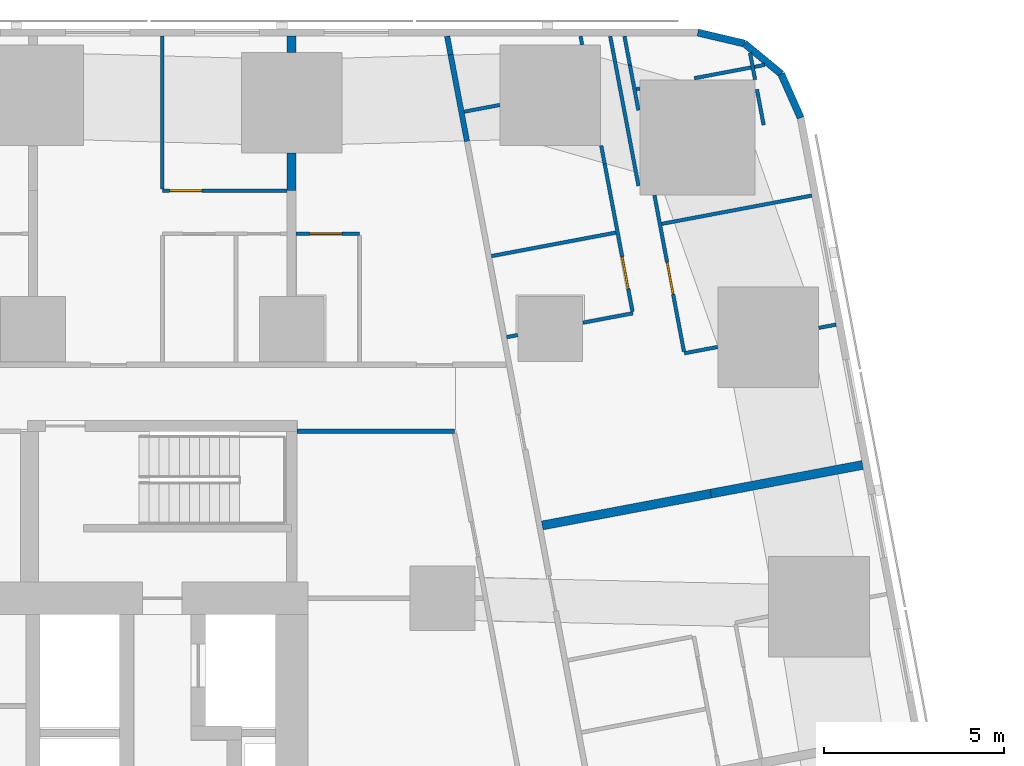
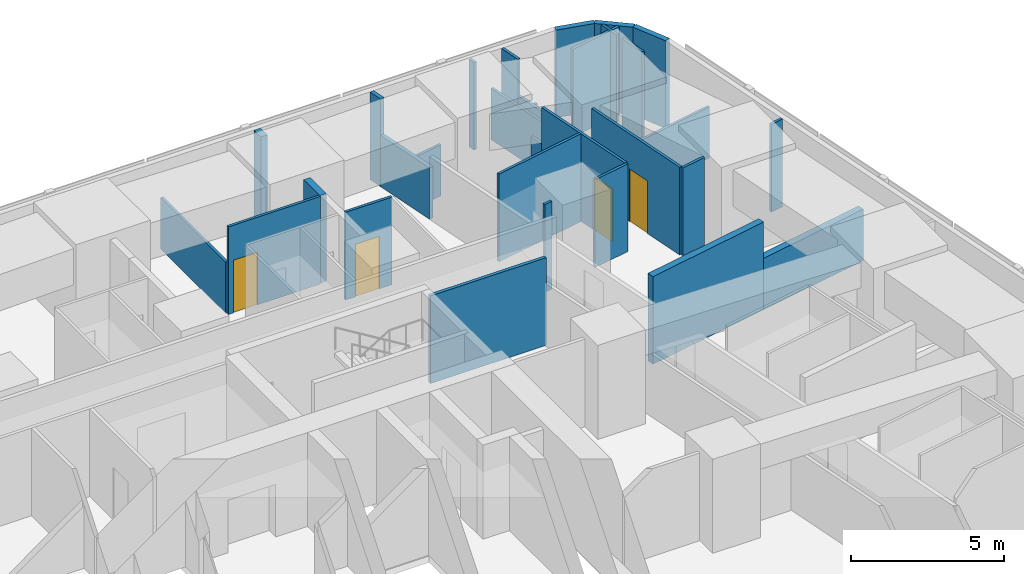
# One storey, part 10 of 15: 31 walls, 4 doors, 4 openings.
"""IFC4 building model written with IfcOpenShell, lengths in metres."""

from ifc_helpers import new_model, si_unit, direction, frame, frame_2d, origin, place, context, subcontext, project, spatial, rectangle, extrude, material, layer, layer_set, type_object, element, fill, save


model = new_model("IFC4")

# Units and contexts
model_context = context("Model", 3, precision=1e-05, world=origin(), true_north=direction((0.0, 1.0)))
body_context = subcontext(model_context, "Body", "Model", "MODEL_VIEW")
ifc_project = project(units=[si_unit("LENGTHUNIT", "METRE"), si_unit("AREAUNIT", "SQUARE_METRE"), si_unit("VOLUMEUNIT", "CUBIC_METRE"), si_unit("PLANEANGLEUNIT", "RADIAN"), si_unit("MASSUNIT", "GRAM", prefix="KILO")], contexts=[model_context])

# Site, building, storey
site_placement = place(None, origin())
site = spatial("IfcSite", under=ifc_project, at=site_placement, CompositionType="ELEMENT")
building_placement = place(site_placement, origin())
building = spatial("IfcBuilding", under=site, at=building_placement, Name="Sheger Commons Tower", CompositionType="ELEMENT")
storey_placement = place(building_placement, frame((0.0, 0.0, 50.0)))
storey = spatial("IfcBuildingStorey", under=building, at=storey_placement, Name="L12", CompositionType="ELEMENT", Elevation=50.0)

# Walls
ifc_material_1 = material(Name="Hollow concrete block masonry, skimmed both sides", Category="masonry")
ifc_layer_1 = layer(ifc_material_1, 0.14990234375)
ifc_layer_set_1 = layer_set([ifc_layer_1], Name="CORRIDOR WALL 150")
wall_type_1 = type_object("IfcWallType", Name="CORRIDOR WALL 150", PredefinedType="SOLIDWALL", material=ifc_layer_set_1)
wall_1_placement = place(storey_placement, frame((33.126953125, 45.64990234375, 0.0), z_axis=(0.0, 0.0, 1.0), x_axis=(0.185441815104, -0.982655246366, 0.0)))
element("IfcWall", 1, at=wall_1_placement, inside=storey, type_object=wall_type_1, Name="Corridor wall L12", PredefinedType="SOLIDWALL", context=body_context, shape_type="SweptSolid", body=[
    extrude(rectangle(XDim=0.52392578125, YDim=0.14990234375, at=frame_2d((0.261962890625, 0.0))), origin(), (0.0, 0.0, 1.0), 3.5),
])
wall_2_placement = place(storey_placement, frame((33.22412109375, 45.135009765625, 0.0), z_axis=(0.0, 0.0, 1.0), x_axis=(0.185681462868, -0.982609990967, 0.0)))
element("IfcWall", 2, at=wall_2_placement, inside=storey, type_object=wall_type_1, Name="Corridor wall L12", PredefinedType="SOLIDWALL", context=body_context, shape_type="SweptSolid", body=[
    extrude(rectangle(XDim=2.454833984375, YDim=0.14990234375, at=frame_2d((1.2275390625, 0.0))), origin(), (0.0, 0.0, 1.0), 2.050048828125),
])
ifc_material_2 = material(Name="Dense concrete block masonry, plastered both sides (separating wall between flats)", Category="masonry")
ifc_layer_2 = layer(ifc_material_2, 0.25)
ifc_layer_set_2 = layer_set([ifc_layer_2], Name="DEMISING WALL 250")
wall_type_2 = type_object("IfcWallType", Name="DEMISING WALL 250", PredefinedType="SOLIDWALL", material=ifc_layer_set_2)
wall_3_placement = place(storey_placement, frame((44.693115234375, 33.712890625, 0.0), z_axis=(0.0, 0.0, 1.0), x_axis=(-0.982633535512, -0.185556823879, 0.0)))
element("IfcWall", 3, at=wall_3_placement, inside=storey, type_object=wall_type_2, Name="Demising wall L12", PredefinedType="SOLIDWALL", context=body_context, shape_type="SweptSolid", body=[
    extrude(rectangle(XDim=4.2998046875, YDim=0.25, at=frame_2d((2.14990234375, 0.0))), origin(), (0.0, 0.0, 1.0), 2.050048828125),
])
wall_4_placement = place(storey_placement, frame((40.468017578125, 32.9150390625, 0.0), z_axis=(0.0, 0.0, 1.0), x_axis=(-0.982635807605, -0.185544791394, 0.0)))
element("IfcWall", 4, at=wall_4_placement, inside=storey, type_object=wall_type_2, Name="Demising wall L12", PredefinedType="SOLIDWALL", context=body_context, shape_type="SweptSolid", body=[
    extrude(rectangle(XDim=4.775146484375, YDim=0.25, at=frame_2d((2.3876953125, 0.0))), origin(), (0.0, 0.0, 1.0), 3.5),
])
wall_5_placement = place(storey_placement, frame((28.800048828125, 41.35009765625, 0.0), z_axis=(0.0, 0.0, 1.0), x_axis=(0.0, 1.0, 0.0)))
element("IfcWall", 5, at=wall_5_placement, inside=storey, type_object=wall_type_2, Name="Demising wall L12", PredefinedType="SOLIDWALL", context=body_context, shape_type="SweptSolid", body=[
    extrude(rectangle(XDim=1.048828125, YDim=0.25, at=frame_2d((0.5244140625, 0.0))), origin(), (0.0, 0.0, 1.0), 3.5),
])
wall_6_placement = place(storey_placement, frame((28.800048828125, 45.200927734375, 0.0), z_axis=(0.0, 0.0, 1.0), x_axis=(0.0, 1.0, 0.0)))
element("IfcWall", 6, at=wall_6_placement, inside=storey, type_object=wall_type_2, Name="Demising wall L12", PredefinedType="SOLIDWALL", context=body_context, shape_type="SweptSolid", body=[
    extrude(rectangle(XDim=0.448974609375, YDim=0.25, at=frame_2d((0.224609375, 0.0))), origin(), (0.0, 0.0, 1.0), 3.5),
])
ifc_material_3 = material(Name="Rendered concrete block masonry, dark grey", Category="masonry")
ifc_layer_3 = layer(ifc_material_3, 0.199951171875)
ifc_layer_set_3 = layer_set([ifc_layer_3], Name="FACADE WALL 200")
wall_type_3 = type_object("IfcWallType", Name="FACADE WALL 200", PredefinedType="SOLIDWALL", material=ifc_layer_set_3)
wall_7_placement = place(storey_placement, frame((42.969970703125, 43.376953125, 0.0), z_axis=(0.0, 0.0, 1.0), x_axis=(-0.406002956633, 0.913871762998, 0.0)))
element("IfcWall", 7, at=wall_7_placement, inside=storey, type_object=wall_type_3, Name="Facade wall L12", PredefinedType="SOLIDWALL", context=body_context, shape_type="SweptSolid", body=[
    extrude(rectangle(XDim=1.33740234375, YDim=0.199951171875, at=frame_2d((0.668701171875, 0.0))), origin(), (0.0, 0.0, 1.0), 3.5),
])
wall_8_placement = place(storey_placement, frame((42.427001953125, 44.59912109375, 0.0), z_axis=(0.0, 0.0, 1.0), x_axis=(-0.770091412544, 0.637933551655, 0.0)))
element("IfcWall", 8, at=wall_8_placement, inside=storey, type_object=wall_type_3, Name="Facade wall L12", PredefinedType="SOLIDWALL", context=body_context, shape_type="SweptSolid", body=[
    extrude(rectangle(XDim=1.324462890625, YDim=0.199951171875, at=frame_2d((0.662109375, 0.0))), origin(), (0.0, 0.0, 1.0), 3.5),
])
wall_9_placement = place(storey_placement, frame((41.406982421875, 45.444091796875, 0.0), z_axis=(0.0, 0.0, 1.0), x_axis=(-0.973453091607, 0.228886606077, 0.0)))
element("IfcWall", 9, at=wall_9_placement, inside=storey, type_object=wall_type_3, Name="Facade wall L12", PredefinedType="SOLIDWALL", context=body_context, shape_type="SweptSolid", body=[
    extrude(rectangle(XDim=1.33642578125, YDim=0.199951171875, at=frame_2d((0.668212890625, 0.0))), origin(), (0.0, 0.0, 1.0), 3.5),
])
ifc_material_4 = material(Name="Gypsum board on steel studs", Category="steel")
ifc_layer_4 = layer(ifc_material_4, 0.10009765625)
ifc_layer_set_4 = layer_set([ifc_layer_4], Name="PARTITION 100")
wall_type_4 = type_object("IfcWallType", Name="PARTITION 100", PredefinedType="PARTITIONING", material=ifc_layer_set_4)
wall_10_placement = place(storey_placement, frame((38.4541015625, 41.48291015625, 0.0), z_axis=(0.0, 0.0, 1.0), x_axis=(-0.185609245326, 0.982623634994, 0.0)))
element("IfcWall", 10, at=wall_10_placement, inside=storey, type_object=wall_type_4, Name="Partition L12", PredefinedType="PARTITIONING", context=body_context, shape_type="SweptSolid", body=[
    extrude(rectangle(XDim=4.24072265625, YDim=0.10009765625, at=frame_2d((2.120361328125, 0.0))), origin(), (0.0, 0.0, 1.0), 2.050048828125),
])
wall_11_placement = place(storey_placement, frame((41.55908203125, 45.18798828125, 0.0), z_axis=(0.0, 0.0, 1.0), x_axis=(0.185063078849, -0.98272664401, 0.0)))
element("IfcWall", 11, at=wall_11_placement, inside=storey, type_object=wall_type_4, Name="Partition L12", PredefinedType="PARTITIONING", context=body_context, shape_type="SweptSolid", body=[
    extrude(rectangle(XDim=0.76123046875, YDim=0.10009765625, at=frame_2d((0.380615234375, 0.0))), origin(), (0.0, 0.0, 1.0), 3.5),
])
wall_12_placement = place(storey_placement, frame((41.7509765625, 44.169921875, 0.0), z_axis=(0.0, 0.0, 1.0), x_axis=(0.186024046654, -0.98254519187, 0.0)))
element("IfcWall", 12, at=wall_12_placement, inside=storey, type_object=wall_type_4, Name="Partition L12", PredefinedType="PARTITIONING", context=body_context, shape_type="SweptSolid", body=[
    extrude(rectangle(XDim=1.010498046875, YDim=0.10009765625, at=frame_2d((0.50537109375, 0.0))), origin(), (0.0, 0.0, 1.0), 3.5),
])
wall_13_placement = place(storey_placement, frame((38.06298828125, 45.64990234375, 0.0), z_axis=(0.0, 0.0, 1.0), x_axis=(0.186109918919, -0.982528929895, 0.0)))
element("IfcWall", 13, at=wall_13_placement, inside=storey, type_object=wall_type_4, Name="Partition L12", PredefinedType="PARTITIONING", context=body_context, shape_type="SweptSolid", body=[
    extrude(rectangle(XDim=0.817138671875, YDim=0.10009765625, at=frame_2d((0.40869140625, 0.0))), origin(), (0.0, 0.0, 1.0), 3.5),
])
wall_14_placement = place(storey_placement, frame((38.215087890625, 44.846923828125, 0.0), z_axis=(0.0, 0.0, 1.0), x_axis=(0.185310800156, -0.982679961811, 0.0)))
element("IfcWall", 14, at=wall_14_placement, inside=storey, type_object=wall_type_4, Name="Partition L12", PredefinedType="PARTITIONING", context=body_context, shape_type="SweptSolid", body=[
    extrude(rectangle(XDim=1.283203125, YDim=0.10009765625, at=frame_2d((0.6416015625, 0.0))), origin(), (0.0, 0.0, 1.0), 2.050048828125),
])

# Wall, opening, door
wall_15_placement = place(storey_placement, frame((38.89892578125, 41.219970703125, 0.0), z_axis=(0.0, 0.0, 1.0), x_axis=(0.185517409072, -0.982640977637, 0.0)))
wall_15 = element("IfcWall", 15, at=wall_15_placement, inside=storey, type_object=wall_type_4, Name="Partition L12", PredefinedType="PARTITIONING", context=body_context, shape_type="SweptSolid", body=[
    extrude(rectangle(XDim=4.42578125, YDim=0.10009765625, at=frame_2d((2.212890625, 0.0))), origin(), (0.0, 0.0, 1.0), 3.5),
])
opening_1_placement = place(wall_15_placement, frame((1.89990234375, 0.0, 0.0)))
opening_1 = element("IfcOpeningElement", 16, at=opening_1_placement, cuts=wall_15, Name="Opening D2", PredefinedType="OPENING", context=body_context, shape_type="SweptSolid", body=[
    extrude(rectangle(XDim=0.89990234375, YDim=2.10009765625, at=frame_2d((0.449951171875, 1.050048828125))), frame((0.0, 0.06005859375, 0.0), z_axis=(0.0, -1.0, 0.0), x_axis=(1.0, 0.0, 0.0)), (0.0, 0.0, 1.0), 0.1201171875),
])
ifc_material_5 = material(Name="Timber door set", Category="wood")
door_type = type_object("IfcDoorType", Name="INTERNAL DOOR 900x2100", OperationType="NOTDEFINED", PredefinedType="DOOR", material=ifc_material_5)
door_1_placement = place(opening_1_placement, origin())
door_1 = element("IfcDoor", 17, at=door_1_placement, inside=storey, type_object=door_type, Name="Main bedroom door", OperationType="SINGLE_SWING_LEFT", OverallHeight=2.10009765625, OverallWidth=0.89990234375, PredefinedType="DOOR", context=body_context, shape_type="SweptSolid", body=[
    extrude(rectangle(XDim=0.89990234375, YDim=2.10009765625, at=frame_2d((0.449951171875, 1.050048828125))), frame((0.0, 0.02490234375, 0.0), z_axis=(0.0, -1.0, 0.0), x_axis=(1.0, 0.0, 0.0)), (0.0, 0.0, 1.0), 0.050048828125),
])
fill(opening_1, door_1)

# Walls
wall_16_placement = place(storey_placement, frame((36.841064453125, 45.64990234375, 0.0), z_axis=(0.0, 0.0, 1.0), x_axis=(0.183986661451, -0.982928740249, 0.0)))
element("IfcWall", 18, at=wall_16_placement, inside=storey, type_object=wall_type_4, Name="Partition L12", PredefinedType="PARTITIONING", context=body_context, shape_type="SweptSolid", body=[
    extrude(rectangle(XDim=0.244140625, YDim=0.10009765625, at=frame_2d((0.1220703125, 0.0))), origin(), (0.0, 0.0, 1.0), 3.5),
])
wall_17_placement = place(storey_placement, frame((37.4169921875, 42.60205078125, 0.0), z_axis=(0.0, 0.0, 1.0), x_axis=(0.185672001976, -0.982611778721, 0.0)))
element("IfcWall", 19, at=wall_17_placement, inside=storey, type_object=wall_type_4, Name="Partition L12", PredefinedType="PARTITIONING", context=body_context, shape_type="SweptSolid", body=[
    extrude(rectangle(XDim=0.52197265625, YDim=0.10009765625, at=frame_2d((0.260986328125, 0.0))), origin(), (0.0, 0.0, 1.0), 2.050048828125),
])

# Wall, opening, door
wall_18_placement = place(storey_placement, frame((37.513916015625, 42.089111328125, 0.0), z_axis=(0.0, 0.0, 1.0), x_axis=(0.185540945282, -0.982636533833, 0.0)))
wall_18 = element("IfcWall", 20, at=wall_18_placement, inside=storey, type_object=wall_type_4, Name="Partition L12", PredefinedType="PARTITIONING", context=body_context, shape_type="SweptSolid", body=[
    extrude(rectangle(XDim=4.177734375, YDim=0.10009765625, at=frame_2d((2.0888671875, 0.0))), origin(), (0.0, 0.0, 1.0), 3.5),
])
opening_2_placement = place(wall_18_placement, frame((2.6298828125, 0.0, 0.0)))
opening_2 = element("IfcOpeningElement", 21, at=opening_2_placement, cuts=wall_18, Name="Opening D2", PredefinedType="OPENING", context=body_context, shape_type="SweptSolid", body=[
    extrude(rectangle(XDim=0.89990234375, YDim=2.10009765625, at=frame_2d((0.449951171875, 1.050048828125))), frame((0.0, 0.06005859375, 0.0), z_axis=(0.0, -1.0, 0.0), x_axis=(1.0, 0.0, 0.0)), (0.0, 0.0, 1.0), 0.1201171875),
])
door_2_placement = place(opening_2_placement, origin())
door_2 = element("IfcDoor", 22, at=door_2_placement, inside=storey, type_object=door_type, Name="Bathroom door", OperationType="SINGLE_SWING_LEFT", OverallHeight=2.10009765625, OverallWidth=0.89990234375, PredefinedType="DOOR", context=body_context, shape_type="SweptSolid", body=[
    extrude(rectangle(XDim=0.89990234375, YDim=2.10009765625, at=frame_2d((0.449951171875, 1.050048828125))), frame((0.0, 0.02490234375, 0.0), z_axis=(0.0, -1.0, 0.0), x_axis=(1.0, 0.0, 0.0)), (0.0, 0.0, 1.0), 0.050048828125),
])
fill(opening_2, door_2)

# Walls
wall_19_placement = place(storey_placement, frame((41.968017578125, 44.85009765625, 0.0), z_axis=(0.0, 0.0, 1.0), x_axis=(-0.982543651732, -0.186032181195, 0.0)))
element("IfcWall", 23, at=wall_19_placement, inside=storey, type_object=wall_type_4, Name="Partition L12", PredefinedType="PARTITIONING", context=body_context, shape_type="SweptSolid", body=[
    extrude(rectangle(XDim=1.994873046875, YDim=0.10009765625, at=frame_2d((0.99755859375, 0.0))), origin(), (0.0, 0.0, 1.0), 3.5),
])
wall_20_placement = place(storey_placement, frame((38.491943359375, 44.193115234375, 0.0), z_axis=(0.0, 0.0, 1.0), x_axis=(-0.981954528773, -0.189117168504, 0.0)))
element("IfcWall", 24, at=wall_20_placement, inside=storey, type_object=wall_type_4, Name="Partition L12", PredefinedType="PARTITIONING", context=body_context, shape_type="SweptSolid", body=[
    extrude(rectangle(XDim=0.1005859375, YDim=0.10009765625, at=frame_2d((0.05029296875, 0.0))), origin(), (0.0, 0.0, 1.0), 2.050048828125),
])
wall_21_placement = place(storey_placement, frame((43.277099609375, 41.2119140625, 0.0), z_axis=(0.0, 0.0, 1.0), x_axis=(-0.982665405803, -0.185387972203, 0.0)))
element("IfcWall", 25, at=wall_21_placement, inside=storey, type_object=wall_type_4, Name="Partition L12", PredefinedType="PARTITIONING", context=body_context, shape_type="SweptSolid", body=[
    extrude(rectangle(XDim=4.249755859375, YDim=0.10009765625, at=frame_2d((2.125, 0.0))), origin(), (0.0, 0.0, 1.0), 2.050048828125),
])
wall_22_placement = place(storey_placement, frame((43.955078125, 37.6201171875, 0.0), z_axis=(0.0, 0.0, 1.0), x_axis=(-0.982543152073, -0.186034820164, 0.0)))
element("IfcWall", 26, at=wall_22_placement, inside=storey, type_object=wall_type_4, Name="Partition L12", PredefinedType="PARTITIONING", context=body_context, shape_type="SweptSolid", body=[
    extrude(rectangle(XDim=0.489501953125, YDim=0.10009765625, at=frame_2d((0.24462890625, 0.0))), origin(), (0.0, 0.0, 1.0), 3.5),
])
wall_23_placement = place(storey_placement, frame((40.654052734375, 36.99609375, 0.0), z_axis=(0.0, 0.0, 1.0), x_axis=(-0.982716055164, -0.185119299163, 0.0)))
element("IfcWall", 27, at=wall_23_placement, inside=storey, type_object=wall_type_4, Name="Partition L12", PredefinedType="PARTITIONING", context=body_context, shape_type="SweptSolid", body=[
    extrude(rectangle(XDim=0.9404296875, YDim=0.10009765625, at=frame_2d((0.47021484375, 0.0))), origin(), (0.0, 0.0, 1.0), 3.5),
])
wall_24_placement = place(storey_placement, frame((34.590087890625, 43.73388671875, 0.0), z_axis=(0.0, 0.0, 1.0), x_axis=(-0.982632457012, -0.185562535081, 0.0)))
element("IfcWall", 28, at=wall_24_placement, inside=storey, type_object=wall_type_4, Name="Partition L12", PredefinedType="PARTITIONING", context=body_context, shape_type="SweptSolid", body=[
    extrude(rectangle(XDim=1.006591796875, YDim=0.10009765625, at=frame_2d((0.50341796875, 0.0))), origin(), (0.0, 0.0, 1.0), 2.050048828125),
])
wall_25_placement = place(storey_placement, frame((37.822998046875, 40.181884765625, 0.0), z_axis=(0.0, 0.0, 1.0), x_axis=(-0.98263926043, -0.185526504472, 0.0)))
element("IfcWall", 29, at=wall_25_placement, inside=storey, type_object=wall_type_4, Name="Partition L12", PredefinedType="PARTITIONING", context=body_context, shape_type="SweptSolid", body=[
    extrude(rectangle(XDim=3.524169921875, YDim=0.10009765625, at=frame_2d((1.76220703125, 0.0))), origin(), (0.0, 0.0, 1.0), 3.5),
])
wall_26_placement = place(storey_placement, frame((38.299072265625, 37.93505859375, 0.0), z_axis=(0.0, 0.0, 1.0), x_axis=(-0.982680053146, -0.185310315822, 0.0)))
element("IfcWall", 30, at=wall_26_placement, inside=storey, type_object=wall_type_4, Name="Partition L12", PredefinedType="PARTITIONING", context=body_context, shape_type="SweptSolid", body=[
    extrude(rectangle(XDim=1.41357421875, YDim=0.10009765625, at=frame_2d((0.706787109375, 0.0))), origin(), (0.0, 0.0, 1.0), 3.5),
])
wall_27_placement = place(storey_placement, frame((35.090087890625, 37.327880859375, 0.0), z_axis=(0.0, 0.0, 1.0), x_axis=(-0.982961380226, -0.183812200315, 0.0)))
element("IfcWall", 31, at=wall_27_placement, inside=storey, type_object=wall_type_4, Name="Partition L12", PredefinedType="PARTITIONING", context=body_context, shape_type="SweptSolid", body=[
    extrude(rectangle(XDim=0.3095703125, YDim=0.10009765625, at=frame_2d((0.15478515625, 0.0))), origin(), (0.0, 0.0, 1.0), 3.5),
])

# Wall, opening, door
wall_28_placement = place(storey_placement, frame((25.199951171875, 41.35009765625, 0.0), z_axis=(0.0, 0.0, 1.0), x_axis=(1.0, 0.0, 0.0)))
wall_28 = element("IfcWall", 32, at=wall_28_placement, inside=storey, type_object=wall_type_4, Name="Partition L12", PredefinedType="PARTITIONING", context=body_context, shape_type="SweptSolid", body=[
    extrude(rectangle(XDim=3.47509765625, YDim=0.10009765625, at=frame_2d((1.737548828125, 0.0))), origin(), (0.0, 0.0, 1.0), 3.5),
])
opening_3_placement = place(wall_28_placement, frame((0.199951171875, 0.0, 0.0)))
opening_3 = element("IfcOpeningElement", 33, at=opening_3_placement, cuts=wall_28, Name="Opening D2", PredefinedType="OPENING", context=body_context, shape_type="SweptSolid", body=[
    extrude(rectangle(XDim=0.89990234375, YDim=2.10009765625, at=frame_2d((0.449951171875, 1.050048828125))), frame((0.0, 0.06005859375, 0.0), z_axis=(0.0, -1.0, 0.0), x_axis=(1.0, 0.0, 0.0)), (0.0, 0.0, 1.0), 0.1201171875),
])
door_3_placement = place(opening_3_placement, origin())
door_3 = element("IfcDoor", 34, at=door_3_placement, inside=storey, type_object=door_type, Name="Main bedroom door", OperationType="SINGLE_SWING_LEFT", OverallHeight=2.10009765625, OverallWidth=0.89990234375, PredefinedType="DOOR", context=body_context, shape_type="SweptSolid", body=[
    extrude(rectangle(XDim=0.89990234375, YDim=2.10009765625, at=frame_2d((0.449951171875, 1.050048828125))), frame((0.0, 0.02490234375, 0.0), z_axis=(0.0, -1.0, 0.0), x_axis=(1.0, 0.0, 0.0)), (0.0, 0.0, 1.0), 0.050048828125),
])
fill(opening_3, door_3)

# Wall
wall_29_placement = place(storey_placement, frame((25.199951171875, 41.39990234375, 0.0), z_axis=(0.0, 0.0, 1.0), x_axis=(0.0, 1.0, 0.0)))
element("IfcWall", 35, at=wall_29_placement, inside=storey, type_object=wall_type_4, Name="Partition L12", PredefinedType="PARTITIONING", context=body_context, shape_type="SweptSolid", body=[
    extrude(rectangle(XDim=4.25, YDim=0.10009765625, at=frame_2d((2.125, 0.0))), origin(), (0.0, 0.0, 1.0), 2.050048828125),
])

# Wall, opening, door
wall_30_placement = place(storey_placement, frame((28.925048828125, 40.14990234375, 0.0), z_axis=(0.0, 0.0, 1.0), x_axis=(1.0, 0.0, 0.0)))
wall_30 = element("IfcWall", 36, at=wall_30_placement, inside=storey, type_object=wall_type_4, Name="Partition L12", PredefinedType="PARTITIONING", context=body_context, shape_type="SweptSolid", body=[
    extrude(rectangle(XDim=1.764892578125, YDim=0.10009765625, at=frame_2d((0.88232421875, 0.0))), origin(), (0.0, 0.0, 1.0), 3.5),
])
opening_4_placement = place(wall_30_placement, frame((0.375, 0.0, 0.0)))
opening_4 = element("IfcOpeningElement", 37, at=opening_4_placement, cuts=wall_30, Name="Opening D2", PredefinedType="OPENING", context=body_context, shape_type="SweptSolid", body=[
    extrude(rectangle(XDim=0.89990234375, YDim=2.10009765625, at=frame_2d((0.449951171875, 1.050048828125))), frame((0.0, 0.06005859375, 0.0), z_axis=(0.0, -1.0, 0.0), x_axis=(1.0, 0.0, 0.0)), (0.0, 0.0, 1.0), 0.1201171875),
])
door_4_placement = place(opening_4_placement, origin())
door_4 = element("IfcDoor", 38, at=door_4_placement, inside=storey, type_object=door_type, Name="Shower room door", OperationType="SINGLE_SWING_RIGHT", OverallHeight=2.10009765625, OverallWidth=0.89990234375, PredefinedType="DOOR", context=body_context, shape_type="SweptSolid", body=[
    extrude(rectangle(XDim=0.89990234375, YDim=2.10009765625, at=frame_2d((0.449951171875, 1.050048828125))), frame((0.0, 0.02490234375, 0.0), z_axis=(0.0, -1.0, 0.0), x_axis=(1.0, 0.0, 0.0)), (0.0, 0.0, 1.0), 0.050048828125),
])
fill(opening_4, door_4)

# Wall
ifc_material_6 = material(Name="Gypsum board on steel studs, two layers each side, fire rated", Category="steel")
ifc_layer_5 = layer(ifc_material_6, 0.125)
ifc_layer_set_5 = layer_set([ifc_layer_5], Name="SERVICE WALL 125")
wall_type_5 = type_object("IfcWallType", Name="SERVICE WALL 125", PredefinedType="PARTITIONING", material=ifc_layer_set_5)
wall_31_placement = place(storey_placement, frame((28.949951171875, 34.64990234375, 0.0), z_axis=(0.0, 0.0, 1.0), x_axis=(1.0, 0.0, 0.0)))
element("IfcWall", 39, at=wall_31_placement, inside=storey, type_object=wall_type_5, Name="Service room wall L12", PredefinedType="PARTITIONING", context=body_context, shape_type="SweptSolid", body=[
    extrude(rectangle(XDim=4.381103515625, YDim=0.125, at=frame_2d((2.1904296875, 0.0))), origin(), (0.0, 0.0, 1.0), 3.5),
])

save(model, "model.ifc")
